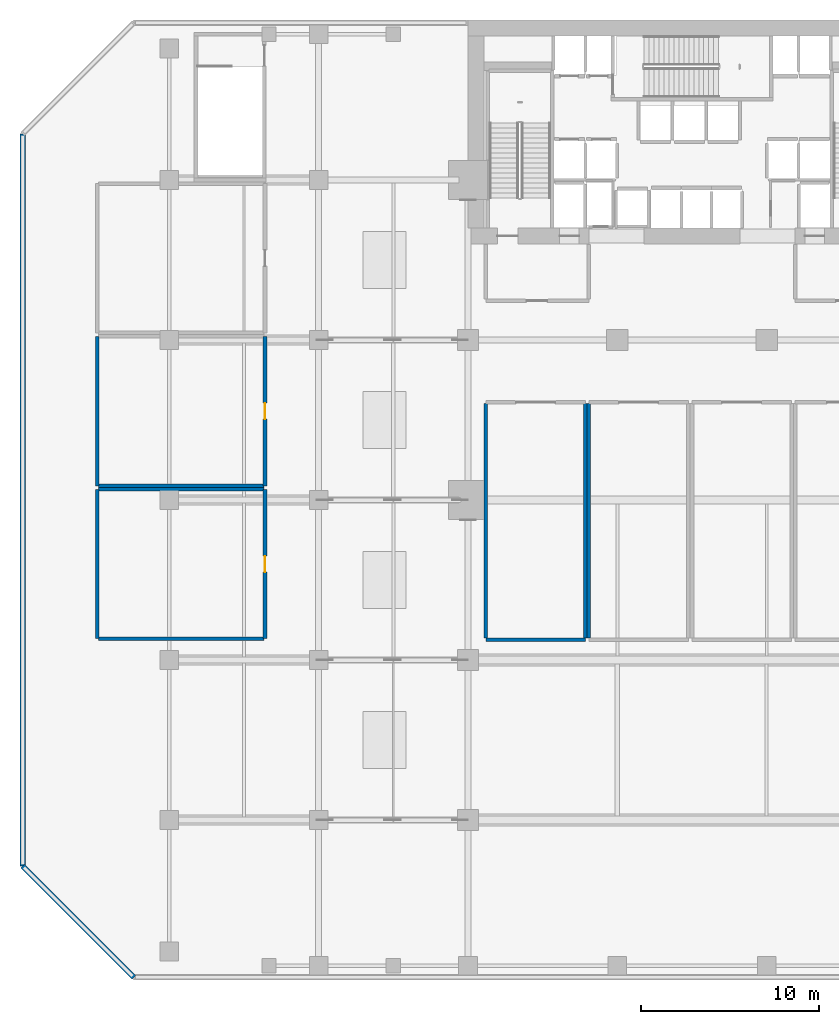
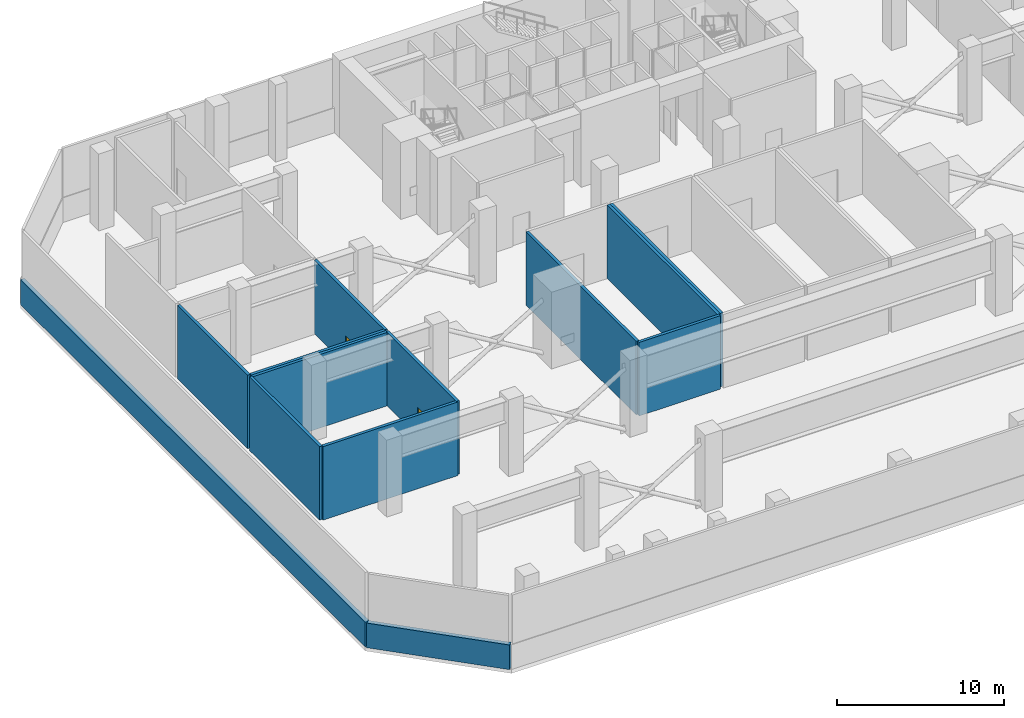
# One storey, part 7 of 15: 13 walls, 2 doors, 2 openings.
"""IFC4 building model written with IfcOpenShell, lengths in metres."""

from ifc_helpers import new_model, si_unit, direction, frame, frame_2d, origin, place, context, subcontext, project, spatial, rectangle, extrude, material, layer, layer_set, type_object, element, fill, save


model = new_model("IFC4")

# Units and contexts
model_context = context("Model", 3, precision=1e-05, world=origin(), true_north=direction((0.0, 1.0)))
body_context = subcontext(model_context, "Body", "Model", "MODEL_VIEW")
ifc_project = project(units=[si_unit("LENGTHUNIT", "METRE"), si_unit("AREAUNIT", "SQUARE_METRE"), si_unit("VOLUMEUNIT", "CUBIC_METRE"), si_unit("PLANEANGLEUNIT", "RADIAN"), si_unit("MASSUNIT", "GRAM", prefix="KILO")], contexts=[model_context])

# Site, building, storey
site_placement = place(None, origin())
site = spatial("IfcSite", under=ifc_project, at=site_placement, CompositionType="ELEMENT")
building_placement = place(site_placement, origin())
building = spatial("IfcBuilding", under=site, at=building_placement, Name="Maruvema Waterfront Hotel and Observation Tower", CompositionType="ELEMENT")
storey_placement = place(building_placement, frame((0.0, 0.0, 21.35009765625)))
storey = spatial("IfcBuildingStorey", under=building, at=storey_placement, Name="L04", CompositionType="ELEMENT", Elevation=21.35009765625)

# Walls
ifc_material_1 = material(Name="Autoclaved cellular concrete blockwork", Category="masonry")
ifc_layer_1 = layer(ifc_material_1, 0.199951171875, Name="Fire Compartment Masonry Wall 200 mm")
ifc_layer_set_1 = layer_set([ifc_layer_1], Name="Autoclaved cellular concrete blockwork")
wall_type_1 = type_object("IfcWallType", Name="Fire Compartment Masonry Wall 200 mm", PredefinedType="PARTITIONING", material=ifc_layer_set_1)
wall_1_placement = place(storey_placement, frame((26.199951171875, 19.14990234375, 0.0), z_axis=(0.0, 0.0, 1.0), x_axis=(1.0, 0.0, 0.0)))
element("IfcWall", 1, at=wall_1_placement, inside=storey, type_object=wall_type_1, Name="L04 L04 AHU Plant Room 1 South 013", PredefinedType="PARTITIONING", context=body_context, shape_type="SweptSolid", body=[
    extrude(rectangle(XDim=5.60009765625, YDim=0.199951171875, at=frame_2d((2.800048828125, 0.0))), origin(), (0.0, 0.0, 1.0), 5.35986328125),
])
for number, where, z_axis, x_axis, name in (
    (2, (26.199951171875, 19.25, 0.0), (0.0, 0.0, 1.0), (0.0, 1.0, 0.0), "L04 L04 AHU Plant Room 1 West 014"),
    (3, (31.800048828125, 19.25, 0.0), (0.0, 0.0, 1.0), (0.0, 1.0, 0.0), "L04 L04 AHU Plant Room 1 East 015"),
    (4, (32.0, 19.25, 0.0), (0.0, 0.0, 1.0), (0.0, 1.0, 0.0), "L04 L04 Chiller Plant Room 1 West 018"),
):
    element("IfcWall", number, at=place(storey_placement, frame(where, z_axis=z_axis, x_axis=x_axis)), inside=storey, type_object=wall_type_1, Name=name, PredefinedType="PARTITIONING", context=body_context, shape_type="SweptSolid", body=[
        extrude(rectangle(XDim=13.169921875, YDim=0.199951171875, at=frame_2d((6.5849609375, 0.0))), origin(), (0.0, 0.0, 1.0), 5.35986328125),
    ])

# Wall, opening, door
wall_2_placement = place(storey_placement, frame((13.780029296875, 19.199951171875, 0.0), z_axis=(0.0, 0.0, 1.0), x_axis=(0.0, 1.0, 0.0)))
wall_2 = element("IfcWall", 5, at=wall_2_placement, inside=storey, type_object=wall_type_1, Name="L04 L04 AHU Plant Room West 1 East 028", PredefinedType="PARTITIONING", context=body_context, shape_type="SweptSolid", body=[
    extrude(rectangle(XDim=8.400146484375, YDim=0.199951171875, at=frame_2d((4.2001953125, 0.0))), origin(), (0.0, 0.0, 1.0), 5.35986328125),
])
opening_1_placement = place(wall_2_placement, frame((3.75, 0.0, 0.0)))
opening_1 = element("IfcOpeningElement", 6, at=opening_1_placement, cuts=wall_2, Name="Opening DR-090", PredefinedType="OPENING", context=body_context, shape_type="SweptSolid", body=[
    extrude(rectangle(XDim=0.89990234375, YDim=2.10009765625, at=frame_2d((0.449951171875, 1.050048828125))), frame((0.0, 0.10986328125, 0.0), z_axis=(0.0, -1.0, 0.0), x_axis=(1.0, 0.0, 0.0)), (0.0, 0.0, 1.0), 0.219970703125),
])
ifc_material_2 = material(Name="Solid-core lacquered timber leaf", Category="wood")
door_type = type_object("IfcDoorType", Name="Accessible Toilet and Room Door 900x2100 mm", OperationType="NOTDEFINED", PredefinedType="DOOR", material=ifc_material_2)
door_1_placement = place(opening_1_placement, origin())
door_1 = element("IfcDoor", 7, at=door_1_placement, inside=storey, type_object=door_type, Name="L04 AHU Plant Room West 1 Door", OperationType="SINGLE_SWING_RIGHT", OverallHeight=2.10009765625, OverallWidth=0.89990234375, PredefinedType="DOOR", context=body_context, shape_type="SweptSolid", body=[
    extrude(rectangle(XDim=0.89990234375, YDim=2.10009765625, at=frame_2d((0.449951171875, 1.050048828125))), frame((0.0, 0.02490234375, 0.0), z_axis=(0.0, -1.0, 0.0), x_axis=(1.0, 0.0, 0.0)), (0.0, 0.0, 1.0), 0.050048828125),
])
fill(opening_1, door_1)

# Walls
wall_3_placement = place(storey_placement, frame((4.35009765625, 19.199951171875, 0.0), z_axis=(0.0, 0.0, 1.0), x_axis=(0.0, 1.0, 0.0)))
element("IfcWall", 8, at=wall_3_placement, inside=storey, type_object=wall_type_1, Name="L04 L04 AHU Plant Room West 1 West 029", PredefinedType="PARTITIONING", context=body_context, shape_type="SweptSolid", body=[
    extrude(rectangle(XDim=8.400146484375, YDim=0.199951171875, at=frame_2d((4.2001953125, 0.0))), origin(), (0.0, 0.0, 1.0), 5.35986328125),
])
for number, where, z_axis, x_axis, name in (
    (9, (4.419921875, 19.199951171875, 0.0), (0.0, 0.0, 1.0), (1.0, 0.0, 0.0), "L04 L04 AHU Plant Room West 1 South 030"),
    (10, (4.419921875, 27.60009765625, 0.0), (0.0, 0.0, 1.0), (1.0, 0.0, 0.0), "L04 L04 AHU Plant Room West 1 North 031"),
):
    element("IfcWall", number, at=place(storey_placement, frame(where, z_axis=z_axis, x_axis=x_axis)), inside=storey, type_object=wall_type_1, Name=name, PredefinedType="PARTITIONING", context=body_context, shape_type="SweptSolid", body=[
        extrude(rectangle(XDim=9.300048828125, YDim=0.199951171875, at=frame_2d((4.64990234375, 0.0))), origin(), (0.0, 0.0, 1.0), 5.35986328125),
    ])

# Wall, opening, door
wall_4_placement = place(storey_placement, frame((13.780029296875, 27.800048828125, 0.0), z_axis=(0.0, 0.0, 1.0), x_axis=(0.0, 1.0, 0.0)))
wall_4 = element("IfcWall", 11, at=wall_4_placement, inside=storey, type_object=wall_type_1, Name="L04 L04 Pressurisation Plant Room W East 032", PredefinedType="PARTITIONING", context=body_context, shape_type="SweptSolid", body=[
    extrude(rectangle(XDim=8.39990234375, YDim=0.199951171875, at=frame_2d((4.199951171875, 0.0))), origin(), (0.0, 0.0, 1.0), 5.35986328125),
])
opening_2_placement = place(wall_4_placement, frame((3.75, 0.0, 0.0)))
opening_2 = element("IfcOpeningElement", 12, at=opening_2_placement, cuts=wall_4, Name="Opening DR-090", PredefinedType="OPENING", context=body_context, shape_type="SweptSolid", body=[
    extrude(rectangle(XDim=0.89990234375, YDim=2.10009765625, at=frame_2d((0.449951171875, 1.050048828125))), frame((0.0, 0.10986328125, 0.0), z_axis=(0.0, -1.0, 0.0), x_axis=(1.0, 0.0, 0.0)), (0.0, 0.0, 1.0), 0.219970703125),
])
door_2_placement = place(opening_2_placement, origin())
door_2 = element("IfcDoor", 13, at=door_2_placement, inside=storey, type_object=door_type, Name="L04 Pressurisation Plant Room W Door", OperationType="SINGLE_SWING_LEFT", OverallHeight=2.10009765625, OverallWidth=0.89990234375, PredefinedType="DOOR", context=body_context, shape_type="SweptSolid", body=[
    extrude(rectangle(XDim=0.89990234375, YDim=2.10009765625, at=frame_2d((0.449951171875, 1.050048828125))), frame((0.0, 0.02490234375, 0.0), z_axis=(0.0, -1.0, 0.0), x_axis=(1.0, 0.0, 0.0)), (0.0, 0.0, 1.0), 0.050048828125),
])
fill(opening_2, door_2)

# Walls
wall_5_placement = place(storey_placement, frame((4.35009765625, 27.800048828125, 0.0), z_axis=(0.0, 0.0, 1.0), x_axis=(0.0, 1.0, 0.0)))
element("IfcWall", 14, at=wall_5_placement, inside=storey, type_object=wall_type_1, Name="L04 L04 Pressurisation Plant Room W West 033", PredefinedType="PARTITIONING", context=body_context, shape_type="SweptSolid", body=[
    extrude(rectangle(XDim=8.39990234375, YDim=0.199951171875, at=frame_2d((4.199951171875, 0.0))), origin(), (0.0, 0.0, 1.0), 5.35986328125),
])
wall_6_placement = place(storey_placement, frame((4.419921875, 27.800048828125, 0.0), z_axis=(0.0, 0.0, 1.0), x_axis=(1.0, 0.0, 0.0)))
element("IfcWall", 15, at=wall_6_placement, inside=storey, type_object=wall_type_1, Name="L04 L04 Pressurisation Plant Room W South 034", PredefinedType="PARTITIONING", context=body_context, shape_type="SweptSolid", body=[
    extrude(rectangle(XDim=9.300048828125, YDim=0.199951171875, at=frame_2d((4.64990234375, 0.0))), origin(), (0.0, 0.0, 1.0), 5.35986328125),
])
ifc_material_3 = material(Name="Precast concrete C45/55 with honed Pernambuco granite facing", Category="masonry")
ifc_layer_2 = layer(ifc_material_3, 0.300048828125, Name="Podium Waterfront Granite Colonnade Wall 300 mm")
ifc_layer_set_2 = layer_set([ifc_layer_2], Name="Precast concrete C45/55 with honed Pernambuco granite facing")
wall_type_2 = type_object("IfcWallType", Name="Podium Waterfront Granite Colonnade Wall 300 mm", PredefinedType="SOLIDWALL", material=ifc_layer_set_2)
wall_7_placement = place(storey_placement, frame((0.14990234375, 47.60009765625, 0.0), z_axis=(0.0, 0.0, 1.0), x_axis=(0.0, -1.0, 0.0)))
element("IfcWall", 16, at=wall_7_placement, inside=storey, type_object=wall_type_2, Name="L04 Plant Perimeter Spandrel W", PredefinedType="SOLIDWALL", context=body_context, shape_type="SweptSolid", body=[
    extrude(rectangle(XDim=41.2001953125, YDim=0.300048828125, at=frame_2d((20.60009765625, 0.0))), origin(), (0.0, 0.0, 1.0), 1.7998046875),
])
wall_8_placement = place(storey_placement, frame((0.14990234375, 6.39990234375, 0.0), z_axis=(0.0, 0.0, 1.0), x_axis=(0.707106781187, -0.707106781187, 0.0)))
element("IfcWall", 17, at=wall_8_placement, inside=storey, type_object=wall_type_2, Name="L04 Plant Perimeter Spandrel SW", PredefinedType="SOLIDWALL", context=body_context, shape_type="SweptSolid", body=[
    extrude(rectangle(XDim=8.8388671875, YDim=0.300048828125, at=frame_2d((4.41943359375, 0.0))), origin(), (0.0, 0.0, 1.0), 1.7998046875),
])

save(model, "model.ifc")
